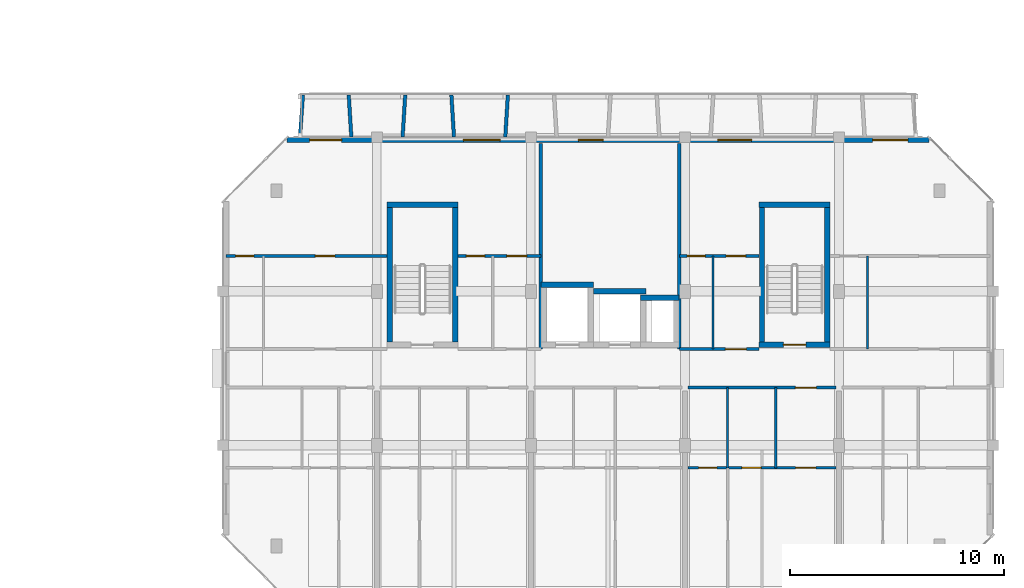
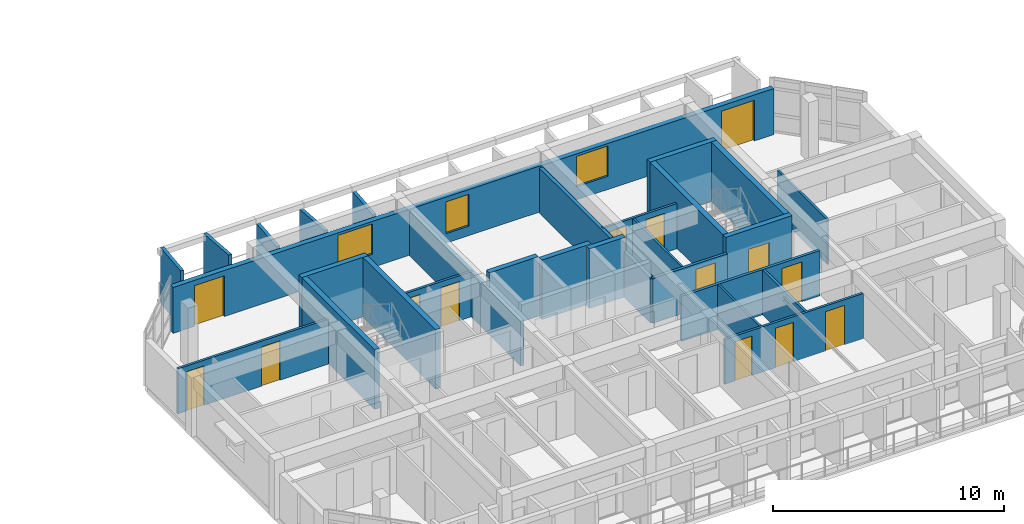
# One storey, part 25 of 45: 28 walls, 14 doors, 3 windows, 17 openings.
"""IFC4 building model written with IfcOpenShell, lengths in metres."""

from ifc_helpers import new_model, si_unit, direction, frame, frame_2d, origin, place, context, subcontext, project, spatial, rectangle, extrude, material, layer, layer_set, type_object, element, fill, save


model = new_model("IFC4")

# Units and contexts
model_context = context("Model", 3, precision=1e-05, world=origin(), true_north=direction((0.0, 1.0)))
body_context = subcontext(model_context, "Body", "Model", "MODEL_VIEW")
ifc_project = project(units=[si_unit("LENGTHUNIT", "METRE"), si_unit("AREAUNIT", "SQUARE_METRE"), si_unit("VOLUMEUNIT", "CUBIC_METRE"), si_unit("PLANEANGLEUNIT", "RADIAN"), si_unit("MASSUNIT", "GRAM", prefix="KILO")], contexts=[model_context])

# Site, building, storey
site_placement = place(None, origin())
site = spatial("IfcSite", under=ifc_project, at=site_placement, CompositionType="ELEMENT")
building_placement = place(site_placement, origin())
building = spatial("IfcBuilding", under=site, at=building_placement, Name="Ochrevale Crest", CompositionType="ELEMENT")
storey_placement = place(building_placement, frame((0.0, 0.0, 18.14990234375)))
storey = spatial("IfcBuildingStorey", under=building, at=storey_placement, Name="L05", CompositionType="ELEMENT", Elevation=18.14990234375)

# Wall, opening, door
ifc_material_1 = material(Name="Gypsum plasterboard", Category="gypsum")
ifc_layer_1 = layer(ifc_material_1, 0.139892578125)
ifc_layer_set_1 = layer_set([ifc_layer_1], Name="Gypsum plasterboard")
wall_type_1 = type_object("IfcWallType", Name="WL-COR-140", PredefinedType="PARTITIONING", material=ifc_layer_set_1)
wall_1_placement = place(storey_placement, frame((151.340087890625, 24.300048828125, 0.0), z_axis=(0.0, 0.0, 1.0), x_axis=(1.0, 0.0, 0.0)))
wall_1 = element("IfcWall", 1, at=wall_1_placement, inside=storey, type_object=wall_type_1, Name="Apartment C-L05-U4 corridor wall", PredefinedType="PARTITIONING", context=body_context, shape_type="SweptSolid", body=[
    extrude(rectangle(XDim=6.919921875, YDim=0.139892578125, at=frame_2d((3.4599609375, 0.0))), origin(), (0.0, 0.0, 1.0), 2.380126953125),
])
opening_1_placement = place(wall_1_placement, frame((6.0, 0.0, 0.0), z_axis=(0.0, 0.0, 1.0), x_axis=(-1.0, 0.0, 0.0)))
opening_1 = element("IfcOpeningElement", 2, at=opening_1_placement, cuts=wall_1, Name="Opening FD01", PredefinedType="OPENING", context=body_context, shape_type="SweptSolid", body=[
    extrude(rectangle(XDim=0.97998046875, YDim=2.10009765625, at=frame_2d((0.489990234375, 1.050048828125))), frame((0.0, 0.080078125, 0.0), z_axis=(0.0, -1.0, 0.0), x_axis=(1.0, 0.0, 0.0)), (0.0, 0.0, 1.0), 0.159912109375),
])
ifc_material_2 = material(Name="Solid-core FSC hardwood", Category="wood")
door_type_1 = type_object("IfcDoorType", Name="DR-APT-950", OperationType="NOTDEFINED", PredefinedType="DOOR", material=ifc_material_2)
door_1_placement = place(opening_1_placement, origin())
door_1 = element("IfcDoor", 3, at=door_1_placement, inside=storey, type_object=door_type_1, Name="Apartment C-L05-U4 entrance door", OperationType="SINGLE_SWING_RIGHT", OverallHeight=2.10009765625, OverallWidth=0.97998046875, PredefinedType="DOOR", context=body_context, shape_type="SweptSolid", body=[
    extrude(rectangle(XDim=0.97998046875, YDim=2.10009765625, at=frame_2d((0.489990234375, 1.050048828125))), frame((0.0, 0.02490234375, 0.0), z_axis=(0.0, -1.0, 0.0), x_axis=(1.0, 0.0, 0.0)), (0.0, 0.0, 1.0), 0.050048828125),
])
fill(opening_1, door_1)

wall_2_placement = place(storey_placement, frame((150.93994140625, 26.10009765625, 0.0), z_axis=(0.0, 0.0, 1.0), x_axis=(1.0, 0.0, 0.0)))
wall_2 = element("IfcWall", 4, at=wall_2_placement, inside=storey, type_object=wall_type_1, Name="Suite C-L05-ME corridor wall", PredefinedType="PARTITIONING", context=body_context, shape_type="SweptSolid", body=[
    extrude(rectangle(XDim=3.719970703125, YDim=0.139892578125, at=frame_2d((1.85986328125, 0.0))), origin(), (0.0, 0.0, 1.0), 2.380126953125),
])
opening_2_placement = place(wall_2_placement, frame((3.131103515625, 0.0, 0.0), z_axis=(0.0, 0.0, 1.0), x_axis=(-1.0, 0.0, 0.0)))
opening_2 = element("IfcOpeningElement", 5, at=opening_2_placement, cuts=wall_2, Name="Opening FD01", PredefinedType="OPENING", context=body_context, shape_type="SweptSolid", body=[
    extrude(rectangle(XDim=0.97998046875, YDim=2.10009765625, at=frame_2d((0.489990234375, 1.050048828125))), frame((0.0, 0.080078125, 0.0), z_axis=(0.0, -1.0, 0.0), x_axis=(1.0, 0.0, 0.0)), (0.0, 0.0, 1.0), 0.159912109375),
])
door_2_placement = place(opening_2_placement, origin())
door_2 = element("IfcDoor", 6, at=door_2_placement, inside=storey, type_object=door_type_1, Name="Suite C-L05-ME entrance door", OperationType="SINGLE_SWING_RIGHT", OverallHeight=2.10009765625, OverallWidth=0.97998046875, PredefinedType="DOOR", context=body_context, shape_type="SweptSolid", body=[
    extrude(rectangle(XDim=0.97998046875, YDim=2.10009765625, at=frame_2d((0.489990234375, 1.050048828125))), frame((0.0, 0.02490234375, 0.0), z_axis=(0.0, -1.0, 0.0), x_axis=(1.0, 0.0, 0.0)), (0.0, 0.0, 1.0), 0.050048828125),
])
fill(opening_2, door_2)

# Walls
ifc_material_3 = material(Name="Precast concrete C50/60", Category="concrete")
ifc_layer_2 = layer(ifc_material_3, 0.2548828125)
ifc_layer_set_2 = layer_set([ifc_layer_2], Name="Precast concrete C50/60")
wall_type_2 = type_object("IfcWallType", Name="WL-CORE-255", PredefinedType="SHEAR", material=ifc_layer_set_2)
wall_3_placement = place(storey_placement, frame((137.2724609375, 32.85009765625, 0.0), z_axis=(0.0, 0.0, 1.0), x_axis=(1.0, 0.0, 0.0)))
element("IfcWall", 7, at=wall_3_placement, inside=storey, type_object=wall_type_2, Name="Block C L05 Stair 1 precast core shear wall N", PredefinedType="SHEAR", context=body_context, shape_type="SweptSolid", body=[
    extrude(rectangle(XDim=3.304931640625, YDim=0.2548828125, at=frame_2d((1.65234375, 0.0))), origin(), (0.0, 0.0, 1.0), 3.150146484375),
])
for number, where, z_axis, x_axis, name in (
    (8, (137.39990234375, 26.427490234375, 0.0), (0.0, 0.0, 1.0), (0.0, 1.0, 0.0), "Block C L05 Stair 1 precast core shear wall W"),
    (9, (140.449951171875, 26.427490234375, 0.0), (0.0, 0.0, 1.0), (0.0, 1.0, 0.0), "Block C L05 Stair 1 precast core shear wall E"),
):
    element("IfcWall", number, at=place(storey_placement, frame(where, z_axis=z_axis, x_axis=x_axis)), inside=storey, type_object=wall_type_2, Name=name, PredefinedType="SHEAR", context=body_context, shape_type="SweptSolid", body=[
        extrude(rectangle(XDim=6.294921875, YDim=0.2548828125, at=frame_2d((3.1474609375, 0.0))), origin(), (0.0, 0.0, 1.0), 3.150146484375),
    ])

# Wall, opening, door
wall_4_placement = place(storey_placement, frame((154.672607421875, 26.300048828125, 0.0), z_axis=(0.0, 0.0, 1.0), x_axis=(1.0, 0.0, 0.0)))
wall_4 = element("IfcWall", 10, at=wall_4_placement, inside=storey, type_object=wall_type_2, Name="Block C L05 Stair 2 precast core shear wall S", PredefinedType="SHEAR", context=body_context, shape_type="SweptSolid", body=[
    extrude(rectangle(XDim=3.304931640625, YDim=0.2548828125, at=frame_2d((1.65234375, 0.0))), origin(), (0.0, 0.0, 1.0), 3.150146484375),
])
opening_3_placement = place(wall_4_placement, frame((1.12744140625, 0.0, 0.0)))
opening_3 = element("IfcOpeningElement", 11, at=opening_3_placement, cuts=wall_4, Name="Opening FD03", PredefinedType="OPENING", context=body_context, shape_type="SweptSolid", body=[
    extrude(rectangle(XDim=1.050048828125, YDim=2.1201171875, at=frame_2d((0.52490234375, 1.06005859375))), frame((0.0, 0.137451171875, 0.0), z_axis=(0.0, -1.0, 0.0), x_axis=(1.0, 0.0, 0.0)), (0.0, 0.0, 1.0), 0.27490234375),
])
door_type_2 = type_object("IfcDoorType", Name="DR-ST-1050", OperationType="NOTDEFINED", PredefinedType="DOOR", material=ifc_material_2)
door_3_placement = place(opening_3_placement, origin())
door_3 = element("IfcDoor", 12, at=door_3_placement, inside=storey, type_object=door_type_2, Name="Block C L05 fire stair 2 door", OperationType="SINGLE_SWING_LEFT", OverallHeight=2.1201171875, OverallWidth=1.050048828125, PredefinedType="DOOR", context=body_context, shape_type="SweptSolid", body=[
    extrude(rectangle(XDim=1.050048828125, YDim=2.1201171875, at=frame_2d((0.52490234375, 1.06005859375))), frame((0.0, 0.02490234375, 0.0), z_axis=(0.0, -1.0, 0.0), x_axis=(1.0, 0.0, 0.0)), (0.0, 0.0, 1.0), 0.050048828125),
])
fill(opening_3, door_3)

# Walls
wall_5_placement = place(storey_placement, frame((154.672607421875, 32.85009765625, 0.0), z_axis=(0.0, 0.0, 1.0), x_axis=(1.0, 0.0, 0.0)))
element("IfcWall", 13, at=wall_5_placement, inside=storey, type_object=wall_type_2, Name="Block C L05 Stair 2 precast core shear wall N", PredefinedType="SHEAR", context=body_context, shape_type="SweptSolid", body=[
    extrude(rectangle(XDim=3.304931640625, YDim=0.2548828125, at=frame_2d((1.65234375, 0.0))), origin(), (0.0, 0.0, 1.0), 3.150146484375),
])
for number, where, z_axis, x_axis, name in (
    (14, (154.800048828125, 26.427490234375, 0.0), (0.0, 0.0, 1.0), (0.0, 1.0, 0.0), "Block C L05 Stair 2 precast core shear wall W"),
    (15, (157.85009765625, 26.427490234375, 0.0), (0.0, 0.0, 1.0), (0.0, 1.0, 0.0), "Block C L05 Stair 2 precast core shear wall E"),
):
    element("IfcWall", number, at=place(storey_placement, frame(where, z_axis=z_axis, x_axis=x_axis)), inside=storey, type_object=wall_type_2, Name=name, PredefinedType="SHEAR", context=body_context, shape_type="SweptSolid", body=[
        extrude(rectangle(XDim=6.294921875, YDim=0.2548828125, at=frame_2d((3.1474609375, 0.0))), origin(), (0.0, 0.0, 1.0), 3.150146484375),
    ])
wall_6_placement = place(storey_placement, frame((144.472412109375, 29.10009765625, 0.0), z_axis=(0.0, 0.0, 1.0), x_axis=(1.0, 0.0, 0.0)))
element("IfcWall", 16, at=wall_6_placement, inside=storey, type_object=wall_type_2, Name="Block C L05 Lift 1 precast shaft shear wall N", PredefinedType="SHEAR", context=body_context, shape_type="SweptSolid", body=[
    extrude(rectangle(XDim=2.455078125, YDim=0.2548828125, at=frame_2d((1.2275390625, 0.0))), origin(), (0.0, 0.0, 1.0), 3.150146484375),
])
wall_7_placement = place(storey_placement, frame((146.922607421875, 28.800048828125, 0.0), z_axis=(0.0, 0.0, 1.0), x_axis=(1.0, 0.0, 0.0)))
element("IfcWall", 17, at=wall_7_placement, inside=storey, type_object=wall_type_2, Name="Block C L05 Lift 2 precast shaft shear wall N", PredefinedType="SHEAR", context=body_context, shape_type="SweptSolid", body=[
    extrude(rectangle(XDim=2.454833984375, YDim=0.2548828125, at=frame_2d((1.2275390625, 0.0))), origin(), (0.0, 0.0, 1.0), 3.150146484375),
])
wall_8_placement = place(storey_placement, frame((149.12255859375, 28.5, 0.0), z_axis=(0.0, 0.0, 1.0), x_axis=(1.0, 0.0, 0.0)))
element("IfcWall", 18, at=wall_8_placement, inside=storey, type_object=wall_type_2, Name="Block C L05 services riser shaft core wall N", PredefinedType="SHEAR", context=body_context, shape_type="SweptSolid", body=[
    extrude(rectangle(XDim=1.804931640625, YDim=0.2548828125, at=frame_2d((0.90234375, 0.0))), origin(), (0.0, 0.0, 1.0), 3.150146484375),
])

# Wall, openings, doors, windows
ifc_material_4 = material(Name="Precast concrete C40/50", Category="concrete")
ifc_layer_3 = layer(ifc_material_4, 0.25)
ifc_layer_set_3 = layer_set([ifc_layer_3], Name="Precast concrete C40/50")
wall_type_3 = type_object("IfcWallType", Name="WL-EXT-GOLD-250", PredefinedType="SOLIDWALL", material=ifc_layer_set_3)
wall_9_placement = place(storey_placement, frame((162.60009765625, 35.875, 0.0), z_axis=(0.0, 0.0, 1.0), x_axis=(-1.0, 0.0, 0.0)))
wall_9 = element("IfcWall", 19, at=wall_9_placement, inside=storey, type_object=wall_type_3, Name="Block C L05 external facade wall E5", PredefinedType="SOLIDWALL", context=body_context, shape_type="SweptSolid", body=[
    extrude(rectangle(XDim=30.0, YDim=0.25, at=frame_2d((15.0, 0.0))), origin(), (0.0, 0.0, 1.0), 2.43017578125),
])
opening_4_placement = place(wall_9_placement, frame((28.949951171875, 0.0, 0.0), z_axis=(0.0, 0.0, 1.0), x_axis=(-1.0, 0.0, 0.0)))
opening_4 = element("IfcOpeningElement", 20, at=opening_4_placement, cuts=wall_9, Name="Opening BD01", PredefinedType="OPENING", context=body_context, shape_type="SweptSolid", body=[
    extrude(rectangle(XDim=1.5, YDim=2.14990234375, at=frame_2d((0.75, 1.074951171875))), frame((0.0, 0.135009765625, 0.0), z_axis=(0.0, -1.0, 0.0), x_axis=(1.0, 0.0, 0.0)), (0.0, 0.0, 1.0), 0.27001953125),
])
opening_5_placement = place(wall_9_placement, frame((2.625, 0.0, 0.0), z_axis=(0.0, 0.0, 1.0), x_axis=(-1.0, 0.0, 0.0)))
opening_5 = element("IfcOpeningElement", 21, at=opening_5_placement, cuts=wall_9, Name="Opening BD02", PredefinedType="OPENING", context=body_context, shape_type="SweptSolid", body=[
    extrude(rectangle(XDim=1.64990234375, YDim=2.14990234375, at=frame_2d((0.824951171875, 1.074951171875))), frame((0.0, 0.135009765625, 0.0), z_axis=(0.0, -1.0, 0.0), x_axis=(1.0, 0.0, 0.0)), (0.0, 0.0, 1.0), 0.27001953125),
])
opening_6_placement = place(wall_9_placement, frame((15.22998046875, 0.0, 0.5)))
opening_6 = element("IfcOpeningElement", 22, at=opening_6_placement, cuts=wall_9, Name="Opening W32", PredefinedType="OPENING", context=body_context, shape_type="SweptSolid", body=[
    extrude(rectangle(XDim=1.14990234375, YDim=1.679931640625, at=frame_2d((0.574951171875, 0.83984375))), frame((0.0, 0.135009765625, 0.0), z_axis=(0.0, -1.0, 0.0), x_axis=(1.0, 0.0, 0.0)), (0.0, 0.0, 1.0), 0.27001953125),
])
opening_7_placement = place(wall_9_placement, frame((8.284912109375, 0.0, 0.699951171875)))
opening_7 = element("IfcOpeningElement", 23, at=opening_7_placement, cuts=wall_9, Name="Opening W09", PredefinedType="OPENING", context=body_context, shape_type="SweptSolid", body=[
    extrude(rectangle(XDim=1.580078125, YDim=1.60009765625, at=frame_2d((0.7900390625, 0.800048828125))), frame((0.0, 0.135009765625, 0.0), z_axis=(0.0, -1.0, 0.0), x_axis=(1.0, 0.0, 0.0)), (0.0, 0.0, 1.0), 0.27001953125),
])
opening_8_placement = place(wall_9_placement, frame((20.0400390625, 0.0, 0.699951171875)))
opening_8 = element("IfcOpeningElement", 24, at=opening_8_placement, cuts=wall_9, Name="Opening W10", PredefinedType="OPENING", context=body_context, shape_type="SweptSolid", body=[
    extrude(rectangle(XDim=1.719970703125, YDim=1.60009765625, at=frame_2d((0.85986328125, 0.800048828125))), frame((0.0, 0.135009765625, 0.0), z_axis=(0.0, -1.0, 0.0), x_axis=(1.0, 0.0, 0.0)), (0.0, 0.0, 1.0), 0.27001953125),
])
ifc_material_5 = material(Name="Anodised aluminium 6063-T5 and toughened glass", Category="aluminium")
door_type_3 = type_object("IfcDoorType", Name="DR-BAL-1500", OperationType="NOTDEFINED", PredefinedType="DOOR", material=ifc_material_5)
door_4_placement = place(opening_4_placement, origin())
door_4 = element("IfcDoor", 25, at=door_4_placement, inside=storey, type_object=door_type_3, Name="Block C L05 balcony door N1", OperationType="SINGLE_SWING_RIGHT", OverallHeight=2.14990234375, OverallWidth=1.5, PredefinedType="DOOR", context=body_context, shape_type="SweptSolid", body=[
    extrude(rectangle(XDim=1.5, YDim=2.14990234375, at=frame_2d((0.75, 1.074951171875))), frame((0.0, 0.02490234375, 0.0), z_axis=(0.0, -1.0, 0.0), x_axis=(1.0, 0.0, 0.0)), (0.0, 0.0, 1.0), 0.050048828125),
])
fill(opening_4, door_4)
door_type_4 = type_object("IfcDoorType", Name="DR-BAL-1650", OperationType="NOTDEFINED", PredefinedType="DOOR", material=ifc_material_5)
door_5_placement = place(opening_5_placement, origin())
door_5 = element("IfcDoor", 26, at=door_5_placement, inside=storey, type_object=door_type_4, Name="Block C L05 balcony door N5", OperationType="SINGLE_SWING_LEFT", OverallHeight=2.14990234375, OverallWidth=1.64990234375, PredefinedType="DOOR", context=body_context, shape_type="SweptSolid", body=[
    extrude(rectangle(XDim=1.64990234375, YDim=2.14990234375, at=frame_2d((0.824951171875, 1.074951171875))), frame((0.0, 0.02490234375, 0.0), z_axis=(0.0, -1.0, 0.0), x_axis=(1.0, 0.0, 0.0)), (0.0, 0.0, 1.0), 0.050048828125),
])
fill(opening_5, door_5)
ifc_material_6 = material(Name="Anodised aluminium 6063-T5 and low-E double glazing", Category="aluminium")
window_type_1 = type_object("IfcWindowType", Name="WIN-W09", PartitioningType="SINGLE_PANEL", PredefinedType="WINDOW", material=ifc_material_6)
window_1_placement = place(opening_7_placement, origin())
window_1 = element("IfcWindow", 27, at=window_1_placement, inside=storey, type_object=window_type_1, Name="Block C L05 Suite C-L05-ME Garden Alcove Studio window", OverallHeight=1.60009765625, OverallWidth=1.580078125, PartitioningType="SINGLE_PANEL", PredefinedType="WINDOW", context=body_context, shape_type="SweptSolid", body=[
    extrude(rectangle(XDim=1.580078125, YDim=1.60009765625, at=frame_2d((0.7900390625, 0.800048828125))), frame((0.0, 0.030029296875, 0.0), z_axis=(0.0, -1.0, 0.0), x_axis=(1.0, 0.0, 0.0)), (0.0, 0.0, 1.0), 0.06005859375),
])
fill(opening_7, window_1)
window_type_2 = type_object("IfcWindowType", Name="WIN-W10", PartitioningType="SINGLE_PANEL", PredefinedType="WINDOW", material=ifc_material_6)
window_2_placement = place(opening_8_placement, origin())
window_2 = element("IfcWindow", 28, at=window_2_placement, inside=storey, type_object=window_type_2, Name="Block C L05 Suite C-L05-MW Courtyard Studio Living window", OverallHeight=1.60009765625, OverallWidth=1.719970703125, PartitioningType="SINGLE_PANEL", PredefinedType="WINDOW", context=body_context, shape_type="SweptSolid", body=[
    extrude(rectangle(XDim=1.719970703125, YDim=1.60009765625, at=frame_2d((0.85986328125, 0.800048828125))), frame((0.0, 0.030029296875, 0.0), z_axis=(0.0, -1.0, 0.0), x_axis=(1.0, 0.0, 0.0)), (0.0, 0.0, 1.0), 0.06005859375),
])
fill(opening_8, window_2)
window_type_3 = type_object("IfcWindowType", Name="WIN-W32", PartitioningType="SINGLE_PANEL", PredefinedType="WINDOW", material=ifc_material_6)
window_3_placement = place(opening_6_placement, origin())
window_3 = element("IfcWindow", 29, at=window_3_placement, inside=storey, type_object=window_type_3, Name="Block C L05 core lancet window", OverallHeight=1.679931640625, OverallWidth=1.14990234375, PartitioningType="SINGLE_PANEL", PredefinedType="WINDOW", context=body_context, shape_type="SweptSolid", body=[
    extrude(rectangle(XDim=1.14990234375, YDim=1.679931640625, at=frame_2d((0.574951171875, 0.83984375))), frame((0.0, 0.030029296875, 0.0), z_axis=(0.0, -1.0, 0.0), x_axis=(1.0, 0.0, 0.0)), (0.0, 0.0, 1.0), 0.06005859375),
])
fill(opening_6, window_3)

# Walls
ifc_layer_4 = layer(ifc_material_4, 0.1650390625)
ifc_layer_set_4 = layer_set([ifc_layer_4], Name="Precast concrete C40/50")
wall_type_4 = type_object("IfcWallType", Name="WL-HC-CHEEK-165", PredefinedType="ELEMENTEDWALL", material=ifc_layer_set_4)
wall_10_placement = place(storey_placement, frame((133.199951171875, 36.02001953125, 0.0), z_axis=(0.0, 0.0, 1.0), x_axis=(0.071317687608, 0.997453651772, 0.0)))
element("IfcWall", 30, at=wall_10_placement, inside=storey, type_object=wall_type_4, Name="Block C L05 N precast honeycomb cheek 1", PredefinedType="ELEMENTEDWALL", context=body_context, shape_type="SweptSolid", body=[
    extrude(rectangle(XDim=1.96484375, YDim=0.1650390625, at=frame_2d((0.982421875, 0.0))), origin(), (0.0, 0.0, 1.0), 2.9501953125),
])
wall_11_placement = place(storey_placement, frame((135.60009765625, 36.02001953125, 0.0), z_axis=(0.0, 0.0, 1.0), x_axis=(-0.061170732449, 0.998127317276, 0.0)))
element("IfcWall", 31, at=wall_11_placement, inside=storey, type_object=wall_type_4, Name="Block C L05 N precast honeycomb cheek 2", PredefinedType="ELEMENTEDWALL", context=body_context, shape_type="SweptSolid", body=[
    extrude(rectangle(XDim=1.963623046875, YDim=0.1650390625, at=frame_2d((0.98193359375, 0.0))), origin(), (0.0, 0.0, 1.0), 2.9501953125),
])
for number, where, z_axis, x_axis, name in (
    (32, (138.0, 36.02001953125, 0.0), (0.0, 0.0, 1.0), (0.061170732449, 0.998127317276, 0.0), "Block C L05 N precast honeycomb cheek 3"),
    (33, (140.39990234375, 36.02001953125, 0.0), (0.0, 0.0, 1.0), (-0.061046865508, 0.998134900808, 0.0), "Block C L05 N precast honeycomb cheek 4"),
    (34, (142.800048828125, 36.02001953125, 0.0), (0.0, 0.0, 1.0), (0.061046865508, 0.998134900808, 0.0), "Block C L05 N precast honeycomb cheek 5"),
):
    element("IfcWall", number, at=place(storey_placement, frame(where, z_axis=z_axis, x_axis=x_axis)), inside=storey, type_object=wall_type_4, Name=name, PredefinedType="ELEMENTEDWALL", context=body_context, shape_type="SweptSolid", body=[
        extrude(rectangle(XDim=1.963623046875, YDim=0.1650390625, at=frame_2d((0.98193359375, 0.0))), origin(), (0.0, 0.0, 1.0), 2.550048828125),
    ])
ifc_layer_5 = layer(ifc_material_1, 0.1201171875)
ifc_layer_set_5 = layer_set([ifc_layer_5], Name="Gypsum plasterboard")
wall_type_5 = type_object("IfcWallType", Name="WL-PART-120", PredefinedType="PARTITIONING", material=ifc_layer_set_5)
wall_12_placement = place(storey_placement, frame((155.43994140625, 20.550048828125, 0.0), z_axis=(0.0, 0.0, 1.0), x_axis=(0.0, 1.0, 0.0)))
element("IfcWall", 35, at=wall_12_placement, inside=storey, type_object=wall_type_5, Name="Apartment C-L05-U4 kitchen-foyer wall", PredefinedType="PARTITIONING", context=body_context, shape_type="SweptSolid", body=[
    extrude(rectangle(XDim=3.75, YDim=0.1201171875, at=frame_2d((1.875, 0.0))), origin(), (0.0, 0.0, 1.0), 2.375),
])

# Wall, openings, doors
wall_13_placement = place(storey_placement, frame((151.340087890625, 20.550048828125, 0.0), z_axis=(0.0, 0.0, 1.0), x_axis=(1.0, 0.0, 0.0)))
wall_13 = element("IfcWall", 36, at=wall_13_placement, inside=storey, type_object=wall_type_5, Name="Apartment C-L05-U4 central partition", PredefinedType="PARTITIONING", context=body_context, shape_type="SweptSolid", body=[
    extrude(rectangle(XDim=6.919921875, YDim=0.1201171875, at=frame_2d((3.4599609375, 0.0))), origin(), (0.0, 0.0, 1.0), 2.380126953125),
])
opening_9_placement = place(wall_13_placement, frame((0.5, 0.0, 0.0)))
opening_9 = element("IfcOpeningElement", 37, at=opening_9_placement, cuts=wall_13, Name="Opening ID01", PredefinedType="OPENING", context=body_context, shape_type="SweptSolid", body=[
    extrude(rectangle(XDim=0.85009765625, YDim=2.080078125, at=frame_2d((0.425048828125, 1.0400390625))), frame((0.0, 0.070068359375, 0.0), z_axis=(0.0, -1.0, 0.0), x_axis=(1.0, 0.0, 0.0)), (0.0, 0.0, 1.0), 0.14013671875),
])
opening_10_placement = place(wall_13_placement, frame((3.4248046875, 0.0, 0.0), z_axis=(0.0, 0.0, 1.0), x_axis=(-1.0, 0.0, 0.0)))
opening_10 = element("IfcOpeningElement", 38, at=opening_10_placement, cuts=wall_13, Name="Opening ID02", PredefinedType="OPENING", context=body_context, shape_type="SweptSolid", body=[
    extrude(rectangle(XDim=0.89990234375, YDim=2.080078125, at=frame_2d((0.449951171875, 1.0400390625))), frame((0.0, 0.070068359375, 0.0), z_axis=(0.0, -1.0, 0.0), x_axis=(1.0, 0.0, 0.0)), (0.0, 0.0, 1.0), 0.14013671875),
])
opening_11_placement = place(wall_13_placement, frame((5.034912109375, 0.0, 0.0)))
opening_11 = element("IfcOpeningElement", 39, at=opening_11_placement, cuts=wall_13, Name="Opening ID06", PredefinedType="OPENING", context=body_context, shape_type="SweptSolid", body=[
    extrude(rectangle(XDim=0.949951171875, YDim=2.080078125, at=frame_2d((0.47509765625, 1.0400390625))), frame((0.0, 0.070068359375, 0.0), z_axis=(0.0, -1.0, 0.0), x_axis=(1.0, 0.0, 0.0)), (0.0, 0.0, 1.0), 0.14013671875),
])
door_type_5 = type_object("IfcDoorType", Name="DR-INT-900", OperationType="NOTDEFINED", PredefinedType="DOOR", material=ifc_material_2)
door_6_placement = place(opening_10_placement, origin())
door_6 = element("IfcDoor", 40, at=door_6_placement, inside=storey, type_object=door_type_5, Name="Apartment C-L05-U4 Kitchen door", OperationType="SINGLE_SWING_RIGHT", OverallHeight=2.080078125, OverallWidth=0.89990234375, PredefinedType="DOOR", context=body_context, shape_type="SweptSolid", body=[
    extrude(rectangle(XDim=0.89990234375, YDim=2.080078125, at=frame_2d((0.449951171875, 1.0400390625))), frame((0.0, 0.02490234375, 0.0), z_axis=(0.0, -1.0, 0.0), x_axis=(1.0, 0.0, 0.0)), (0.0, 0.0, 1.0), 0.050048828125),
])
fill(opening_10, door_6)
door_type_6 = type_object("IfcDoorType", Name="DR-INT-950", OperationType="NOTDEFINED", PredefinedType="DOOR", material=ifc_material_2)
door_7_placement = place(opening_11_placement, origin())
door_7 = element("IfcDoor", 41, at=door_7_placement, inside=storey, type_object=door_type_6, Name="Apartment C-L05-U4 Living Foyer door", OperationType="SINGLE_SWING_LEFT", OverallHeight=2.080078125, OverallWidth=0.949951171875, PredefinedType="DOOR", context=body_context, shape_type="SweptSolid", body=[
    extrude(rectangle(XDim=0.949951171875, YDim=2.080078125, at=frame_2d((0.47509765625, 1.0400390625))), frame((0.0, 0.02490234375, 0.0), z_axis=(0.0, -1.0, 0.0), x_axis=(1.0, 0.0, 0.0)), (0.0, 0.0, 1.0), 0.050048828125),
])
fill(opening_11, door_7)
door_type_7 = type_object("IfcDoorType", Name="DR-WC-850", OperationType="NOTDEFINED", PredefinedType="DOOR", material=ifc_material_2)
door_8_placement = place(opening_9_placement, origin())
door_8 = element("IfcDoor", 42, at=door_8_placement, inside=storey, type_object=door_type_7, Name="Apartment C-L05-U4 Bathroom door", OperationType="SINGLE_SWING_LEFT", OverallHeight=2.080078125, OverallWidth=0.85009765625, PredefinedType="DOOR", context=body_context, shape_type="SweptSolid", body=[
    extrude(rectangle(XDim=0.85009765625, YDim=2.080078125, at=frame_2d((0.425048828125, 1.0400390625))), frame((0.0, 0.02490234375, 0.0), z_axis=(0.0, -1.0, 0.0), x_axis=(1.0, 0.0, 0.0)), (0.0, 0.0, 1.0), 0.050048828125),
])
fill(opening_9, door_8)

wall_14_placement = place(storey_placement, frame((129.739990234375, 30.449951171875, 0.0), z_axis=(0.0, 0.0, 1.0), x_axis=(1.0, 0.0, 0.0)))
wall_14 = element("IfcWall", 43, at=wall_14_placement, inside=storey, type_object=wall_type_5, Name="Suite C-L05-CW internal wall", PredefinedType="PARTITIONING", context=body_context, shape_type="SweptSolid", body=[
    extrude(rectangle(XDim=7.52001953125, YDim=0.1201171875, at=frame_2d((3.760009765625, 0.0))), origin(), (0.0, 0.0, 1.0), 2.380126953125),
])
opening_12_placement = place(wall_14_placement, frame((0.449951171875, 0.0, 0.0)))
opening_12 = element("IfcOpeningElement", 44, at=opening_12_placement, cuts=wall_14, Name="Opening ID01", PredefinedType="OPENING", context=body_context, shape_type="SweptSolid", body=[
    extrude(rectangle(XDim=0.85009765625, YDim=2.080078125, at=frame_2d((0.425048828125, 1.0400390625))), frame((0.0, 0.070068359375, 0.0), z_axis=(0.0, -1.0, 0.0), x_axis=(1.0, 0.0, 0.0)), (0.0, 0.0, 1.0), 0.14013671875),
])
opening_13_placement = place(wall_14_placement, frame((5.094970703125, 0.0, 0.0), z_axis=(0.0, 0.0, 1.0), x_axis=(-1.0, 0.0, 0.0)))
opening_13 = element("IfcOpeningElement", 45, at=opening_13_placement, cuts=wall_14, Name="Opening ID04", PredefinedType="OPENING", context=body_context, shape_type="SweptSolid", body=[
    extrude(rectangle(XDim=0.919921875, YDim=2.080078125, at=frame_2d((0.4599609375, 1.0400390625))), frame((0.0, 0.070068359375, 0.0), z_axis=(0.0, -1.0, 0.0), x_axis=(1.0, 0.0, 0.0)), (0.0, 0.0, 1.0), 0.14013671875),
])
door_type_8 = type_object("IfcDoorType", Name="DR-INT-920", OperationType="NOTDEFINED", PredefinedType="DOOR", material=ifc_material_2)
door_9_placement = place(opening_13_placement, origin())
door_9 = element("IfcDoor", 46, at=door_9_placement, inside=storey, type_object=door_type_8, Name="Suite C-L05-CW Quiet Reading Room door", OperationType="SINGLE_SWING_RIGHT", OverallHeight=2.080078125, OverallWidth=0.919921875, PredefinedType="DOOR", context=body_context, shape_type="SweptSolid", body=[
    extrude(rectangle(XDim=0.919921875, YDim=2.080078125, at=frame_2d((0.4599609375, 1.0400390625))), frame((0.0, 0.02490234375, 0.0), z_axis=(0.0, -1.0, 0.0), x_axis=(1.0, 0.0, 0.0)), (0.0, 0.0, 1.0), 0.050048828125),
])
fill(opening_13, door_9)
door_10_placement = place(opening_12_placement, origin())
door_10 = element("IfcDoor", 47, at=door_10_placement, inside=storey, type_object=door_type_7, Name="Suite C-L05-CW Bathroom door", OperationType="SINGLE_SWING_LEFT", OverallHeight=2.080078125, OverallWidth=0.85009765625, PredefinedType="DOOR", context=body_context, shape_type="SweptSolid", body=[
    extrude(rectangle(XDim=0.85009765625, YDim=2.080078125, at=frame_2d((0.425048828125, 1.0400390625))), frame((0.0, 0.02490234375, 0.0), z_axis=(0.0, -1.0, 0.0), x_axis=(1.0, 0.0, 0.0)), (0.0, 0.0, 1.0), 0.050048828125),
])
fill(opening_12, door_10)

wall_15_placement = place(storey_placement, frame((140.590087890625, 30.449951171875, 0.0), z_axis=(0.0, 0.0, 1.0), x_axis=(1.0, 0.0, 0.0)))
wall_15 = element("IfcWall", 48, at=wall_15_placement, inside=storey, type_object=wall_type_5, Name="Suite C-L05-MW internal wall", PredefinedType="PARTITIONING", context=body_context, shape_type="SweptSolid", body=[
    extrude(rectangle(XDim=3.869873046875, YDim=0.1201171875, at=frame_2d((1.93505859375, 0.0))), origin(), (0.0, 0.0, 1.0), 2.380126953125),
])
opening_14_placement = place(wall_15_placement, frame((1.23779296875, 0.0, 0.0), z_axis=(0.0, 0.0, 1.0), x_axis=(-1.0, 0.0, 0.0)))
opening_14 = element("IfcOpeningElement", 49, at=opening_14_placement, cuts=wall_15, Name="Opening ID01", PredefinedType="OPENING", context=body_context, shape_type="SweptSolid", body=[
    extrude(rectangle(XDim=0.85009765625, YDim=2.080078125, at=frame_2d((0.425048828125, 1.0400390625))), frame((0.0, 0.070068359375, 0.0), z_axis=(0.0, -1.0, 0.0), x_axis=(1.0, 0.0, 0.0)), (0.0, 0.0, 1.0), 0.14013671875),
])
opening_15_placement = place(wall_15_placement, frame((2.28759765625, 0.0, 0.0)))
opening_15 = element("IfcOpeningElement", 50, at=opening_15_placement, cuts=wall_15, Name="Opening ID04", PredefinedType="OPENING", context=body_context, shape_type="SweptSolid", body=[
    extrude(rectangle(XDim=0.919921875, YDim=2.080078125, at=frame_2d((0.4599609375, 1.0400390625))), frame((0.0, 0.070068359375, 0.0), z_axis=(0.0, -1.0, 0.0), x_axis=(1.0, 0.0, 0.0)), (0.0, 0.0, 1.0), 0.14013671875),
])
door_11_placement = place(opening_15_placement, origin())
door_11 = element("IfcDoor", 51, at=door_11_placement, inside=storey, type_object=door_type_8, Name="Suite C-L05-MW Courtyard Studio Living door", OperationType="SINGLE_SWING_LEFT", OverallHeight=2.080078125, OverallWidth=0.919921875, PredefinedType="DOOR", context=body_context, shape_type="SweptSolid", body=[
    extrude(rectangle(XDim=0.919921875, YDim=2.080078125, at=frame_2d((0.4599609375, 1.0400390625))), frame((0.0, 0.02490234375, 0.0), z_axis=(0.0, -1.0, 0.0), x_axis=(1.0, 0.0, 0.0)), (0.0, 0.0, 1.0), 0.050048828125),
])
fill(opening_15, door_11)
door_12_placement = place(opening_14_placement, origin())
door_12 = element("IfcDoor", 52, at=door_12_placement, inside=storey, type_object=door_type_7, Name="Suite C-L05-MW Bathroom door", OperationType="SINGLE_SWING_RIGHT", OverallHeight=2.080078125, OverallWidth=0.85009765625, PredefinedType="DOOR", context=body_context, shape_type="SweptSolid", body=[
    extrude(rectangle(XDim=0.85009765625, YDim=2.080078125, at=frame_2d((0.425048828125, 1.0400390625))), frame((0.0, 0.02490234375, 0.0), z_axis=(0.0, -1.0, 0.0), x_axis=(1.0, 0.0, 0.0)), (0.0, 0.0, 1.0), 0.050048828125),
])
fill(opening_14, door_12)

wall_16_placement = place(storey_placement, frame((150.93994140625, 30.449951171875, 0.0), z_axis=(0.0, 0.0, 1.0), x_axis=(1.0, 0.0, 0.0)))
wall_16 = element("IfcWall", 53, at=wall_16_placement, inside=storey, type_object=wall_type_5, Name="Suite C-L05-ME internal wall", PredefinedType="PARTITIONING", context=body_context, shape_type="SweptSolid", body=[
    extrude(rectangle(XDim=3.719970703125, YDim=0.1201171875, at=frame_2d((1.85986328125, 0.0))), origin(), (0.0, 0.0, 1.0), 2.380126953125),
])
opening_16_placement = place(wall_16_placement, frame((0.356201171875, 0.0, 0.0)))
opening_16 = element("IfcOpeningElement", 54, at=opening_16_placement, cuts=wall_16, Name="Opening ID01", PredefinedType="OPENING", context=body_context, shape_type="SweptSolid", body=[
    extrude(rectangle(XDim=0.85009765625, YDim=2.080078125, at=frame_2d((0.425048828125, 1.0400390625))), frame((0.0, 0.070068359375, 0.0), z_axis=(0.0, -1.0, 0.0), x_axis=(1.0, 0.0, 0.0)), (0.0, 0.0, 1.0), 0.14013671875),
])
opening_17_placement = place(wall_16_placement, frame((3.10107421875, 0.0, 0.0), z_axis=(0.0, 0.0, 1.0), x_axis=(-1.0, 0.0, 0.0)))
opening_17 = element("IfcOpeningElement", 55, at=opening_17_placement, cuts=wall_16, Name="Opening ID04", PredefinedType="OPENING", context=body_context, shape_type="SweptSolid", body=[
    extrude(rectangle(XDim=0.919921875, YDim=2.080078125, at=frame_2d((0.4599609375, 1.0400390625))), frame((0.0, 0.070068359375, 0.0), z_axis=(0.0, -1.0, 0.0), x_axis=(1.0, 0.0, 0.0)), (0.0, 0.0, 1.0), 0.14013671875),
])
door_13_placement = place(opening_17_placement, origin())
door_13 = element("IfcDoor", 56, at=door_13_placement, inside=storey, type_object=door_type_8, Name="Suite C-L05-ME Garden Alcove Studio door", OperationType="SINGLE_SWING_RIGHT", OverallHeight=2.080078125, OverallWidth=0.919921875, PredefinedType="DOOR", context=body_context, shape_type="SweptSolid", body=[
    extrude(rectangle(XDim=0.919921875, YDim=2.080078125, at=frame_2d((0.4599609375, 1.0400390625))), frame((0.0, 0.02490234375, 0.0), z_axis=(0.0, -1.0, 0.0), x_axis=(1.0, 0.0, 0.0)), (0.0, 0.0, 1.0), 0.050048828125),
])
fill(opening_17, door_13)
door_14_placement = place(opening_16_placement, origin())
door_14 = element("IfcDoor", 57, at=door_14_placement, inside=storey, type_object=door_type_7, Name="Suite C-L05-ME Bathroom door", OperationType="SINGLE_SWING_LEFT", OverallHeight=2.080078125, OverallWidth=0.85009765625, PredefinedType="DOOR", context=body_context, shape_type="SweptSolid", body=[
    extrude(rectangle(XDim=0.85009765625, YDim=2.080078125, at=frame_2d((0.425048828125, 1.0400390625))), frame((0.0, 0.02490234375, 0.0), z_axis=(0.0, -1.0, 0.0), x_axis=(1.0, 0.0, 0.0)), (0.0, 0.0, 1.0), 0.050048828125),
])
fill(opening_16, door_14)

# Walls
ifc_layer_6 = layer(ifc_material_1, 0.169921875)
ifc_layer_set_6 = layer_set([ifc_layer_6], Name="Gypsum plasterboard")
wall_type_6 = type_object("IfcWallType", Name="WL-TEN-170", PredefinedType="PARTITIONING", material=ifc_layer_set_6)
for number, where, z_axis, x_axis, name in (
    (58, (144.4599609375, 26.10009765625, 0.0), (0.0, 0.0, 1.0), (0.0, 1.0, 0.0), "Suite C-L05-MW east party wall"),
    (59, (150.93994140625, 26.10009765625, 0.0), (0.0, 0.0, 1.0), (0.0, 1.0, 0.0), "Suite C-L05-ME west party wall"),
):
    element("IfcWall", number, at=place(storey_placement, frame(where, z_axis=z_axis, x_axis=x_axis)), inside=storey, type_object=wall_type_6, Name=name, PredefinedType="PARTITIONING", context=body_context, shape_type="SweptSolid", body=[
        extrude(rectangle(XDim=9.599853515625, YDim=0.169921875, at=frame_2d((4.7998046875, 0.0))), origin(), (0.0, 0.0, 1.0), 2.380126953125),
    ])
ifc_layer_7 = layer(ifc_material_1, 0.10009765625)
ifc_layer_set_7 = layer_set([ifc_layer_7], Name="Gypsum plasterboard")
wall_type_7 = type_object("IfcWallType", Name="WL-WET-100", PredefinedType="PARTITIONING", material=ifc_layer_set_7)
wall_17_placement = place(storey_placement, frame((153.18994140625, 20.550048828125, 0.0), z_axis=(0.0, 0.0, 1.0), x_axis=(0.0, 1.0, 0.0)))
element("IfcWall", 60, at=wall_17_placement, inside=storey, type_object=wall_type_7, Name="Apartment C-L05-U4 bath-kitchen wall", PredefinedType="PARTITIONING", context=body_context, shape_type="SweptSolid", body=[
    extrude(rectangle(XDim=3.75, YDim=0.10009765625, at=frame_2d((1.875, 0.0))), origin(), (0.0, 0.0, 1.0), 2.375),
])
for number, where, z_axis, x_axis, name in (
    (61, (152.50244140625, 26.10009765625, 0.0), (0.0, 0.0, 1.0), (0.0, 1.0, 0.0), "Suite C-L05-ME bathroom divider"),
    (62, (159.739990234375, 26.10009765625, 0.0), (0.0, 0.0, 1.0), (0.0, 1.0, 0.0), "Suite C-L05-CE bathroom divider"),
):
    element("IfcWall", number, at=place(storey_placement, frame(where, z_axis=z_axis, x_axis=x_axis)), inside=storey, type_object=wall_type_7, Name=name, PredefinedType="PARTITIONING", context=body_context, shape_type="SweptSolid", body=[
        extrude(rectangle(XDim=4.349853515625, YDim=0.10009765625, at=frame_2d((2.1748046875, 0.0))), origin(), (0.0, 0.0, 1.0), 2.375),
    ])

save(model, "model.ifc")
